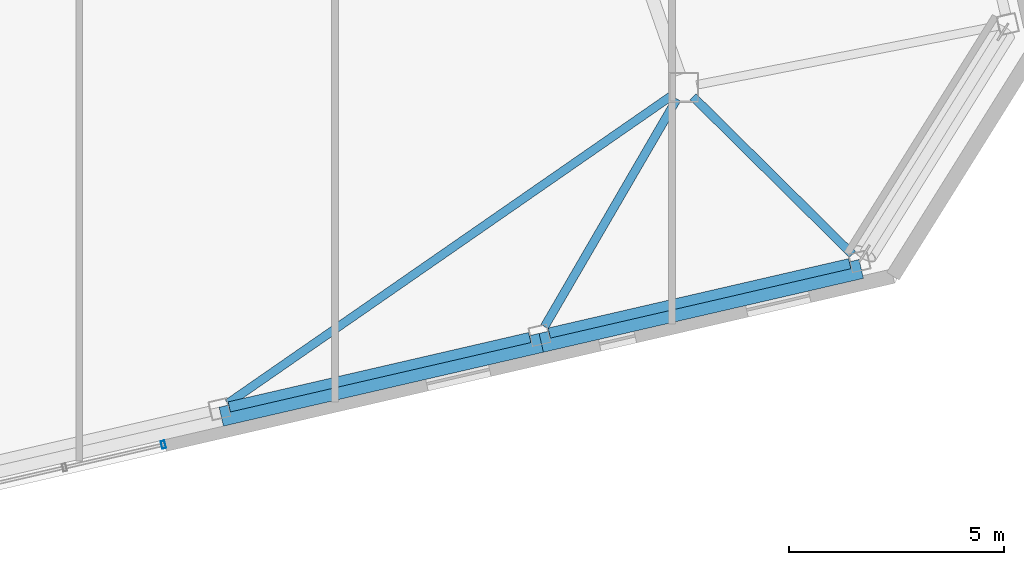
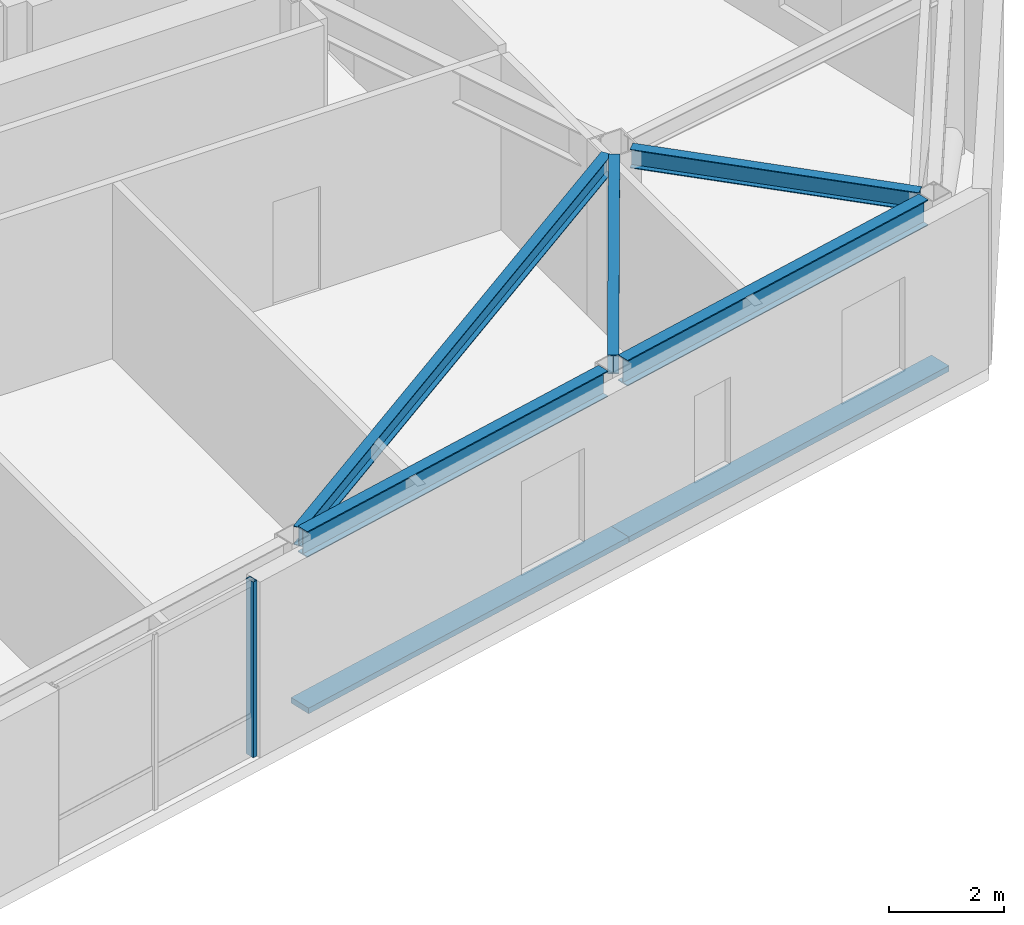
# One storey, part 11 of 22: 5 beams, 3 members, 1 element without a shape of its own.
"""IFC4 building model written with IfcOpenShell, lengths in metres."""

import ifcopenshell
import ifcopenshell.guid

model = None  # the IFC model being written
_history = None  # IfcOwnerHistory: only IFC2X3 demands one
_inside = {}  # id of a spatial element -> (the spatial element, [elements in it])
_under = {}  # id of a project, library or spatial element -> (it, [spatial elements below it])
_declared = {}  # id of a project -> (the project, [libraries it declares])
_typed = {}  # id of a type object -> (the type object, [elements of that type])
_made_of = {}  # id of a material, layer set ... -> (it, [elements and type objects made of it])


def new_model(schema):
    """Start an empty IFC model of exactly this schema.

    Asked for "IFC4X3", IfcOpenShell would pick the latest addendum, in which some entities
    have other attributes; the version numbers below select the first issue.
    IFC2X3 requires an IfcOwnerHistory on every rooted entity: one is made here for all.
    """
    global model, _history
    if schema == "IFC4X3":
        model = ifcopenshell.file(schema_version=(4, 3, 0, 0))
    else:
        model = ifcopenshell.file(schema=schema)
    _inside.clear()
    _under.clear()
    _declared.clear()
    _typed.clear()
    _made_of.clear()
    _history = None
    if model.schema == "IFC2X3":
        org = make("IfcOrganization", Name="unknown")
        user = make(
            "IfcPersonAndOrganization",
            ThePerson=make("IfcPerson", FamilyName="unknown"),
            TheOrganization=org,
        )
        app = make(
            "IfcApplication",
            ApplicationDeveloper=org,
            Version="unknown",
            ApplicationFullName="unknown",
            ApplicationIdentifier="unknown",
        )
        _history = make(
            "IfcOwnerHistory",
            OwningUser=user,
            OwningApplication=app,
            ChangeAction="ADDED",
            CreationDate=0,
        )
    return model


def make(cls, **values):
    """One entity of the class cls with the attributes given. An attribute that is None is left unset."""
    return model.create_entity(
        cls, **{name: value for name, value in values.items() if value is not None}
    )


def rooted(cls, **values):
    """An entity with a GlobalId (a new one), such as an element, a storey or a relation."""
    return make(cls, GlobalId=ifcopenshell.guid.new(), OwnerHistory=_history, **values)


def si_unit(unit_type, name, prefix=None):
    """IfcSIUnit, for example si_unit("LENGTHUNIT", "METRE", prefix="MILLI")."""
    return make("IfcSIUnit", UnitType=unit_type, Prefix=prefix, Name=name)


def assignment(units):
    """IfcUnitAssignment: the units of a project."""
    return None if units is None else make("IfcUnitAssignment", Units=units)


def point(xyz):
    """IfcCartesianPoint."""
    return None if xyz is None else make("IfcCartesianPoint", Coordinates=xyz)


def direction(xyz):
    """IfcDirection."""
    return None if xyz is None else make("IfcDirection", DirectionRatios=xyz)


def frame(location, z_axis=None, x_axis=None):
    """IfcAxis2Placement3D, a coordinate frame: its origin and axes. An axis left out is left unset."""
    return make(
        "IfcAxis2Placement3D",
        Location=point(location),
        Axis=direction(z_axis),
        RefDirection=direction(x_axis),
    )


def frame_2d(location, x_axis=None):
    """IfcAxis2Placement2D, a coordinate frame in the plane: its origin and x axis."""
    return make(
        "IfcAxis2Placement2D", Location=point(location), RefDirection=direction(x_axis)
    )


def origin():
    """The frame at (0, 0, 0) with its axes left unset."""
    return frame((0.0, 0.0, 0.0))


def origin_2d():
    """The frame at (0, 0) in the plane with its x axis left unset."""
    return frame_2d((0.0, 0.0))


def place(relative_to, where):
    """IfcLocalPlacement: puts the frame where relative to a parent placement (None: the world)."""
    return make(
        "IfcLocalPlacement", PlacementRelTo=relative_to, RelativePlacement=where
    )


def context(
    kind, dimensions, precision=None, world=None, true_north=None, identifier=None
):
    """IfcGeometricRepresentationContext, for example the 3D "Model" context."""
    return make(
        "IfcGeometricRepresentationContext",
        ContextIdentifier=identifier,
        ContextType=kind,
        CoordinateSpaceDimension=dimensions,
        Precision=precision,
        WorldCoordinateSystem=world,
        TrueNorth=true_north,
    )


def subcontext(parent, identifier, kind, view, scale=None):
    """IfcGeometricRepresentationSubContext, for example "Body" below "Model"."""
    return make(
        "IfcGeometricRepresentationSubContext",
        ContextIdentifier=identifier,
        ContextType=kind,
        ParentContext=parent,
        TargetScale=scale,
        TargetView=view,
    )


def project(units=None, contexts=None):
    """IfcProject with its units and contexts."""
    return rooted(
        "IfcProject",
        Name="project",
        RepresentationContexts=contexts,
        UnitsInContext=assignment(units),
    )


def spatial(cls, under=None, at=None, **own):
    """A site, building, storey or space (cls), placed at a placement, below another one or the project."""
    s = rooted(cls, ObjectPlacement=at, **own)
    if under is not None:
        _under.setdefault(under.id(), (under, []))[1].append(s)
    return s


def profile(cls, at=None, kind="AREA", **sizes):
    """A parametric profile (cls). Its sizes go by their IFC names, for example OverallWidth=200.0."""
    return make(cls, ProfileType=kind, Position=at, **sizes)


def rectangle(**sizes):
    """IfcRectangleProfileDef."""
    return profile("IfcRectangleProfileDef", **sizes)


def hollow_rectangle(**sizes):
    """IfcRectangleHollowProfileDef."""
    return profile("IfcRectangleHollowProfileDef", **sizes)


def i_section(**sizes):
    """IfcIShapeProfileDef."""
    return profile("IfcIShapeProfileDef", **sizes)


def extrude(swept, where, along, depth):
    """IfcExtrudedAreaSolid: the profile swept, set in the frame where, extruded along a direction by depth."""
    return make(
        "IfcExtrudedAreaSolid",
        SweptArea=swept,
        Position=where,
        ExtrudedDirection=direction(along),
        Depth=depth,
    )


def shape(context_of_items, identifier, shape_type, items):
    """IfcShapeRepresentation: the items that make up one representation, for example the "Body"."""
    return make(
        "IfcShapeRepresentation",
        ContextOfItems=context_of_items,
        RepresentationIdentifier=identifier,
        RepresentationType=shape_type,
        Items=items,
    )


def material(Name=None, Category=None):
    """IfcMaterial."""
    return make("IfcMaterial", Name=Name, Category=Category)


def layer(
    of_material, thickness, ventilated=None, Name=None, Category=None, Priority=None
):
    """IfcMaterialLayer: one layer of a wall or slab, of a material (None: an air gap)."""
    return make(
        "IfcMaterialLayer",
        Material=of_material,
        LayerThickness=thickness,
        IsVentilated=ventilated,
        Name=Name,
        Category=Category,
        Priority=Priority,
    )


def layer_set(layers, Name=None):
    """IfcMaterialLayerSet."""
    return make("IfcMaterialLayerSet", MaterialLayers=layers, LayerSetName=Name)


def material_profile(
    of_material, cross_section, Name=None, Category=None, Priority=None
):
    """IfcMaterialProfile: a cross section and its material."""
    return make(
        "IfcMaterialProfile",
        Name=Name,
        Material=of_material,
        Profile=cross_section,
        Priority=Priority,
        Category=Category,
    )


def profile_set(profiles, Name=None, composite=None):
    """IfcMaterialProfileSet."""
    return make(
        "IfcMaterialProfileSet",
        Name=Name,
        MaterialProfiles=profiles,
        CompositeProfile=composite,
    )


def made_of(thing, what):
    """Note that an element or type object is made of a material, layer set ...; save() writes the relation."""
    if what is not None:
        _made_of.setdefault(what.id(), (what, []))[1].append(thing)
    return thing


def type_object(cls, material=None, **own):
    """A type object (cls), such as IfcWallType, which elements share."""
    return made_of(rooted(cls, **own), material)


def element(
    cls,
    number,
    at=None,
    inside=None,
    cuts=None,
    type_object=None,
    material=None,
    context=None,
    identifier="Body",
    shape_type=None,
    held_by="IfcProductDefinitionShape",
    body=None,
    shapes=None,
    **own,
):
    """One element of the class cls, such as IfcWall. Its Tag is "e" and its number.

    at: its placement. inside: the storey or other place that contains it. cuts: it is an
    opening in that element (IfcRelVoidsElement). A single representation is given by context,
    identifier, shape_type and body (its items); several are given by shapes. held_by: the class
    of the entity that holds the representations. save() writes the other relations.
    """
    e = rooted(cls, Tag="e%d" % number, ObjectPlacement=at, **own)
    if body is not None:
        shapes = [shape(context, identifier, shape_type, body)]
    if shapes is not None:
        e.Representation = make(held_by, Representations=shapes)
    if inside is not None:
        _inside.setdefault(inside.id(), (inside, []))[1].append(e)
    if cuts is not None:
        rooted(
            "IfcRelVoidsElement", RelatingBuildingElement=cuts, RelatedOpeningElement=e
        )
    if type_object is not None:
        _typed.setdefault(type_object.id(), (type_object, []))[1].append(e)
    return made_of(e, material)


def aggregate(whole, parts):
    """IfcRelAggregates: a whole, such as a stair, and the parts it consists of."""
    return rooted("IfcRelAggregates", RelatingObject=whole, RelatedObjects=parts)


def save(model, path):
    """Write the relations noted so far, then the file.

    IfcRelAggregates (storeys below a building ...), IfcRelContainedInSpatialStructure (elements
    in a storey), IfcRelDefinesByType, IfcRelAssociatesMaterial and IfcRelDeclares: one each for
    every whole, place, type object, material and project.
    """
    for whole, parts in _under.values():
        aggregate(whole, parts)
    for where, things in _inside.values():
        rooted(
            "IfcRelContainedInSpatialStructure",
            RelatedElements=things,
            RelatingStructure=where,
        )
    for kind, things in _typed.values():
        rooted("IfcRelDefinesByType", RelatedObjects=things, RelatingType=kind)
    for what, things in _made_of.values():
        rooted("IfcRelAssociatesMaterial", RelatedObjects=things, RelatingMaterial=what)
    for by, libraries in _declared.values():
        rooted("IfcRelDeclares", RelatingContext=by, RelatedDefinitions=libraries)
    model.write(path)


model = new_model("IFC4")

# Units and contexts
model_context = context("Model", 3, precision=1e-05, world=origin(), true_north=direction((0.0, 1.0)))
body_context = subcontext(model_context, "Body", "Model", "MODEL_VIEW")
ifc_project = project(units=[si_unit("LENGTHUNIT", "METRE"), si_unit("AREAUNIT", "SQUARE_METRE"), si_unit("VOLUMEUNIT", "CUBIC_METRE"), si_unit("PLANEANGLEUNIT", "RADIAN"), si_unit("MASSUNIT", "GRAM", prefix="KILO")], contexts=[model_context])

# Site, building, storey
site_placement = place(None, origin())
site = spatial("IfcSite", under=ifc_project, at=site_placement, CompositionType="ELEMENT")
building_placement = place(site_placement, origin())
building = spatial("IfcBuilding", under=site, at=building_placement, Name="Tavrogorsk Clinical Tower", CompositionType="ELEMENT")
storey_placement = place(building_placement, frame((0.0, 0.0, 313.0)))
storey = spatial("IfcBuildingStorey", under=building, at=storey_placement, Name="L73", CompositionType="ELEMENT", Elevation=313.0)

# Members
ifc_material_1 = material(Name="Anodised aluminium alloy AW-6063", Category="aluminium")
ifc_material_profile_1 = material_profile(ifc_material_1, rectangle(XDim=0.449951171875, YDim=0.1201171875, at=origin_2d()), Name="ALU-SUNSHADE-450x120")
ifc_profile_set_1 = profile_set([ifc_material_profile_1], Name="Anodised aluminium alloy AW-6063")
member_type_1 = type_object("IfcMemberType", Name="ChicagoSunshade_450x120", PredefinedType="USERDEFINED", material=ifc_profile_set_1)
for number, where, z_axis, x_axis, name in (
    (1, (13.751708984375, -20.85498046875, 0.179931640625), (0.974372328168, 0.224941250331, 0.0), (-0.224941250331, 0.974372328168, 0.0), "L73 South Aluminium Sunshade S6"),
    (2, (21.1904296875, -19.1376953125, 0.179931640625), (0.974372328168, 0.224941250331, 0.0), (-0.224941250331, 0.974372328168, 0.0), "L73 South Aluminium Sunshade S7"),
):
    element("IfcMember", number, at=place(storey_placement, frame(where, z_axis=z_axis, x_axis=x_axis)), inside=storey, type_object=member_type_1, Name=name, ObjectType="SUNSHADE", PredefinedType="USERDEFINED", context=body_context, shape_type="SweptSolid", body=[
        extrude(rectangle(XDim=0.449951171875, YDim=0.1201171875, at=origin_2d()), origin(), (0.0, 0.0, 1.0), 7.63427734375),
    ])

# Curtain wall, member
ifc_material_2 = material(Name="Anodised aluminium and triple IGU glazing", Category="aluminium")
ifc_layer = layer(ifc_material_2, 0.179931640625)
ifc_layer_set = layer_set([ifc_layer], Name="Anodised aluminium and triple IGU glazing")
curtain_wall_type = type_object("IfcCurtainWallType", Name="CW3_SouthSlot", PredefinedType="NOTDEFINED", material=ifc_layer_set)
curtain_wall_placement = place(storey_placement, origin())
curtain_wall = element("IfcCurtainWall", 3, at=curtain_wall_placement, inside=storey, type_object=curtain_wall_type, Name="L73 Curtain Wall CW-L73-S-SLOT-2", PredefinedType="NOTDEFINED")
ifc_material_3 = material(Name="Anodised aluminium alloy AW-6060", Category="aluminium")
ifc_material_profile_2 = material_profile(ifc_material_3, hollow_rectangle(XDim=0.090087890625, YDim=0.179931640625, WallThickness=0.00634765625, at=origin_2d()), Name="RHS-180x90x6.3")
ifc_profile_set_2 = profile_set([ifc_material_profile_2], Name="Anodised aluminium alloy AW-6060")
member_type_2 = type_object("IfcMemberType", Name="CwMullion_180x90", PredefinedType="MULLION", material=ifc_profile_set_2)
member_placement = place(storey_placement, frame((12.4052734375, -21.504638671875, 0.0), z_axis=(0.0, 0.0, 1.0), x_axis=(0.974370057377, 0.224951086434, 0.0)))
member = element("IfcMember", 4, at=member_placement, type_object=member_type_2, Name="CW-L73-S-SLOT-2 Mullion 3", PredefinedType="MULLION", context=body_context, shape_type="SweptSolid", body=[
    extrude(hollow_rectangle(XDim=0.090087890625, YDim=0.179931640625, WallThickness=0.00634765625, at=origin_2d()), origin(), (0.0, 0.0, 1.0), 3.739990234375),
])
aggregate(curtain_wall, [member])

# Beams
ifc_material_4 = material(Name="Structural steel S355", Category="steel")
ifc_material_profile_3 = material_profile(ifc_material_4, i_section(OverallWidth=0.199951171875, OverallDepth=0.39990234375, WebThickness=0.010498046875, FlangeThickness=0.01611328125, at=origin_2d()), Name="B-400x200x10.5x16")
ifc_profile_set_3 = profile_set([ifc_material_profile_3], Name="Structural steel S355")
beam_type_1 = type_object("IfcBeamType", Name="FloorBeam_B400", PredefinedType="BEAM", material=ifc_profile_set_3)
beam_1_placement = place(storey_placement, frame((24.245361328125, -13.376708984375, 3.5400390625), z_axis=(-0.821821874963, -0.56974450926, 0.0), x_axis=(0.56974450926, -0.821821874963, 0.0)))
element("IfcBeam", 5, at=beam_1_placement, inside=storey, type_object=beam_type_1, Name="L73 Radial Floor Beam S6", PredefinedType="BEAM", context=body_context, shape_type="SweptSolid", body=[
    extrude(i_section(OverallWidth=0.199951171875, OverallDepth=0.39990234375, WebThickness=0.010498046875, FlangeThickness=0.01611328125, at=origin_2d()), origin(), (0.0, 0.0, 1.0), 12.5849609375),
])
beam_2_placement = place(storey_placement, frame((24.34423828125, -13.468017578125, 3.5400390625), z_axis=(-0.50260105099, -0.864518469174, 0.0), x_axis=(0.864518469174, -0.50260105099, 0.0)))
element("IfcBeam", 6, at=beam_2_placement, inside=storey, type_object=beam_type_1, Name="L73 Radial Floor Beam S7", PredefinedType="BEAM", context=body_context, shape_type="SweptSolid", body=[
    extrude(i_section(OverallWidth=0.199951171875, OverallDepth=0.39990234375, WebThickness=0.010498046875, FlangeThickness=0.01611328125, at=origin_2d()), origin(), (0.0, 0.0, 1.0), 6.12255859375),
])
beam_3_placement = place(storey_placement, frame((24.720458984375, -13.41796875, 3.5400390625), z_axis=(0.710870207436, -0.703323217433, 0.0), x_axis=(0.703323217433, 0.710870207436, 0.0)))
element("IfcBeam", 7, at=beam_3_placement, inside=storey, type_object=beam_type_1, Name="L73 Radial Floor Beam S8", PredefinedType="BEAM", context=body_context, shape_type="SweptSolid", body=[
    extrude(i_section(OverallWidth=0.199951171875, OverallDepth=0.39990234375, WebThickness=0.010498046875, FlangeThickness=0.01611328125, at=origin_2d()), origin(), (0.0, 0.0, 1.0), 5.208251953125),
])
ifc_material_5 = material(Name="Structural steel S390", Category="steel")
ifc_material_profile_4 = material_profile(ifc_material_5, i_section(OverallWidth=0.239990234375, OverallDepth=0.550048828125, WebThickness=0.013916015625, FlangeThickness=0.02197265625, at=origin_2d()), Name="B-550x240x14x22")
ifc_profile_set_4 = profile_set([ifc_material_profile_4], Name="Structural steel S390")
beam_type_2 = type_object("IfcBeamType", Name="SpandrelBeam_B550", PredefinedType="SPANDREL", material=ifc_profile_set_4)
for number, where, z_axis, x_axis, name in (
    (8, (13.938232421875, -20.627197265625, 3.465087890625), (0.974369378592, 0.224954026551, 0.0), (-0.224954026551, 0.974369378592, 0.0), "L73 Perimeter Spandrel S6-S7"),
    (9, (21.376953125, -18.909912109375, 3.465087890625), (0.974369378592, 0.224954026551, 0.0), (-0.224954026551, 0.974369378592, 0.0), "L73 Perimeter Spandrel S7-S8"),
):
    element("IfcBeam", number, at=place(storey_placement, frame(where, z_axis=z_axis, x_axis=x_axis)), inside=storey, type_object=beam_type_2, Name=name, PredefinedType="SPANDREL", context=body_context, shape_type="SweptSolid", body=[
        extrude(i_section(OverallWidth=0.239990234375, OverallDepth=0.550048828125, WebThickness=0.013916015625, FlangeThickness=0.02197265625, at=origin_2d()), origin(), (0.0, 0.0, 1.0), 7.16845703125),
    ])

save(model, "model.ifc")
